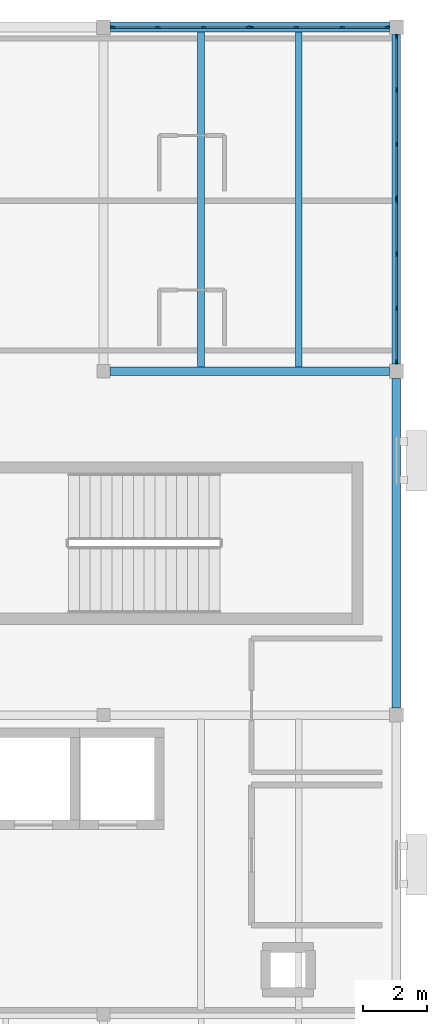
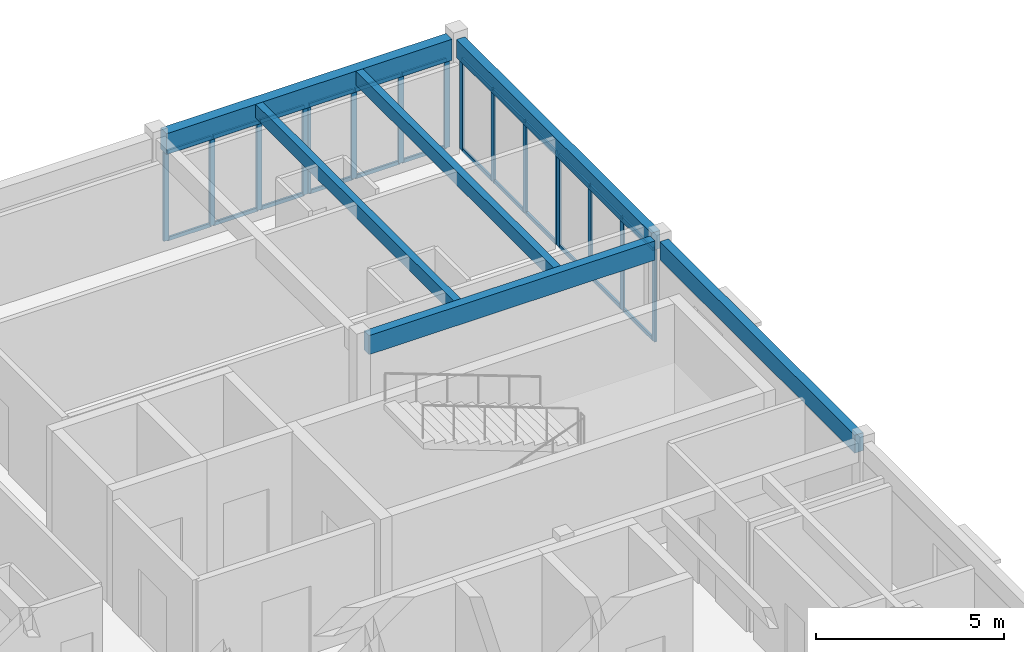
# One storey, part 3 of 15: 40 members, 6 beams, 4 elements without a shape of their own.
"""IFC4 building model written with IfcOpenShell, lengths in metres."""

from ifc_helpers import new_model, si_unit, direction, frame, origin, origin_2d, place, context, subcontext, project, spatial, rectangle, extrude, material, material_profile, profile_set, type_object, element, aggregate, save


model = new_model("IFC4")

# Units and contexts
model_context = context("Model", 3, precision=1e-05, world=origin(), true_north=direction((0.0, 1.0)))
body_context = subcontext(model_context, "Body", "Model", "MODEL_VIEW")
ifc_project = project(units=[si_unit("LENGTHUNIT", "METRE"), si_unit("AREAUNIT", "SQUARE_METRE"), si_unit("VOLUMEUNIT", "CUBIC_METRE"), si_unit("PLANEANGLEUNIT", "RADIAN"), si_unit("MASSUNIT", "GRAM", prefix="KILO")], contexts=[model_context])

# Site, building, storey
site_placement = place(None, origin())
site = spatial("IfcSite", under=ifc_project, at=site_placement, CompositionType="ELEMENT")
building_placement = place(site_placement, origin())
building = spatial("IfcBuilding", under=site, at=building_placement, Name="Veldera Park Congress Hotel", CompositionType="ELEMENT")
storey_placement = place(building_placement, frame((0.0, 0.0, 39.0)))
storey = spatial("IfcBuildingStorey", under=building, at=storey_placement, Name="L09", CompositionType="ELEMENT", Elevation=39.0)

# Beams
ifc_material_1 = material(Name="Glulam GL28h (NDS 24F-V4)", Category="wood")
ifc_material_profile_1 = material_profile(ifc_material_1, rectangle(XDim=0.264892578125, YDim=0.580078125, at=origin_2d()), Name="GL28h 265x580")
ifc_profile_set_1 = profile_set([ifc_material_profile_1], Name="Glulam GL28h (NDS 24F-V4)")
beam_type_1 = type_object("IfcBeamType", Name="BM-GL540E", PredefinedType="BEAM", material=ifc_profile_set_1)
beam_1_placement = place(storey_placement, frame((84.0, 36.625, 3.27490234375), z_axis=(0.0, 1.0, 0.0), x_axis=(-1.0, 0.0, 0.0)))
element("IfcBeam", 1, at=beam_1_placement, inside=storey, type_object=beam_type_1, Name="L09 Girder BM-GL540E 1883", PredefinedType="BEAM", context=body_context, shape_type="SweptSolid", body=[
    extrude(rectangle(XDim=0.264892578125, YDim=0.580078125, at=origin_2d()), origin(), (0.0, 0.0, 1.0), 10.35009765625),
])
beam_2_placement = place(storey_placement, frame((84.0, 47.425048828125, 3.27490234375), z_axis=(0.0, 1.0, 0.0), x_axis=(-1.0, 0.0, 0.0)))
element("IfcBeam", 2, at=beam_2_placement, inside=storey, type_object=beam_type_1, Name="L09 Girder BM-GL540E 1884", PredefinedType="BEAM", context=body_context, shape_type="SweptSolid", body=[
    extrude(rectangle(XDim=0.264892578125, YDim=0.580078125, at=origin_2d()), origin(), (0.0, 0.0, 1.0), 10.349853515625),
])
ifc_material_profile_2 = material_profile(ifc_material_1, rectangle(XDim=0.264892578125, YDim=0.6201171875, at=origin_2d()), Name="GL28h 265x620")
ifc_profile_set_2 = profile_set([ifc_material_profile_2], Name="Glulam GL28h (NDS 24F-V4)")
beam_type_2 = type_object("IfcBeamType", Name="BM-GL620", PredefinedType="BEAM", material=ifc_profile_set_2)
beam_3_placement = place(storey_placement, frame((75.010009765625, 47.199951171875, 3.2548828125), z_axis=(1.0, 0.0, 0.0), x_axis=(0.0, 1.0, 0.0)))
element("IfcBeam", 3, at=beam_3_placement, inside=storey, type_object=beam_type_2, Name="L09 Girder BM-GL620 1850", PredefinedType="BEAM", context=body_context, shape_type="SweptSolid", body=[
    extrude(rectangle(XDim=0.264892578125, YDim=0.6201171875, at=origin_2d()), origin(), (0.0, 0.0, 1.0), 8.764892578125),
])
ifc_material_profile_3 = material_profile(ifc_material_1, rectangle(XDim=0.31494140625, YDim=0.679931640625, at=origin_2d()), Name="GL28h 315x680")
ifc_profile_set_3 = profile_set([ifc_material_profile_3], Name="Glulam GL28h (NDS 24F-V4)")
beam_type_3 = type_object("IfcBeamType", Name="BM-GL640E", PredefinedType="BEAM", material=ifc_profile_set_3)
beam_4_placement = place(storey_placement, frame((75.02490234375, 58.0, 3.22509765625), z_axis=(1.0, 0.0, 0.0), x_axis=(0.0, 1.0, 0.0)))
element("IfcBeam", 4, at=beam_4_placement, inside=storey, type_object=beam_type_3, Name="L09 Girder BM-GL640E 1855", PredefinedType="BEAM", context=body_context, shape_type="SweptSolid", body=[
    extrude(rectangle(XDim=0.31494140625, YDim=0.679931640625, at=origin_2d()), origin(), (0.0, 0.0, 1.0), 8.75),
])

# Curtain wall, members
ifc_material_2 = material(Name="Low-E Triple Insulating Glass Unit (SHGC 0.22)", Category="glass")
curtain_wall_type = type_object("IfcCurtainWallType", Name="CW-HTL", PredefinedType="NOTDEFINED", material=ifc_material_2)
curtain_wall_1_placement = place(storey_placement, origin())
curtain_wall_1 = element("IfcCurtainWall", 5, at=curtain_wall_1_placement, inside=storey, type_object=curtain_wall_type, Name="L09 Curtain Wall CW3-HTLNE-L09-122", PredefinedType="NOTDEFINED")
ifc_material_3 = material(Name="Anodised Aluminium Alloy 6063-T6", Category="aluminium")
ifc_material_profile_4 = material_profile(ifc_material_3, rectangle(XDim=0.06005859375, YDim=0.159912109375, at=origin_2d()), Name="ALU 60x160")
ifc_profile_set_4 = profile_set([ifc_material_profile_4], Name="Anodised Aluminium Alloy 6063-T6")
member_type_1 = type_object("IfcMemberType", Name="CWM-160", PredefinedType="MULLION", material=ifc_profile_set_4)
member_1_placement = place(storey_placement, frame((84.0, 47.4951171875, 0.0), z_axis=(0.0, 0.0, 1.0), x_axis=(-1.0, 0.0, 0.0)))
member_1 = element("IfcMember", 6, at=member_1_placement, type_object=member_type_1, Name="CW-HTL mullion 1", PredefinedType="MULLION", context=body_context, shape_type="SweptSolid", body=[
    extrude(rectangle(XDim=0.06005859375, YDim=0.159912109375, at=origin_2d()), origin(), (0.0, 0.0, 1.0), 2.97998046875),
])
member_2_placement = place(storey_placement, frame((84.0, 49.171630859375, 0.0), z_axis=(0.0, 0.0, 1.0), x_axis=(-1.0, 0.0, 0.0)))
member_2 = element("IfcMember", 7, at=member_2_placement, type_object=member_type_1, Name="CW-HTL mullion 2", PredefinedType="MULLION", context=body_context, shape_type="SweptSolid", body=[
    extrude(rectangle(XDim=0.06005859375, YDim=0.159912109375, at=origin_2d()), origin(), (0.0, 0.0, 1.0), 2.97998046875),
])
member_3_placement = place(storey_placement, frame((84.0, 50.87841796875, 0.0), z_axis=(0.0, 0.0, 1.0), x_axis=(-1.0, 0.0, 0.0)))
member_3 = element("IfcMember", 8, at=member_3_placement, type_object=member_type_1, Name="CW-HTL mullion 3", PredefinedType="MULLION", context=body_context, shape_type="SweptSolid", body=[
    extrude(rectangle(XDim=0.06005859375, YDim=0.159912109375, at=origin_2d()), origin(), (0.0, 0.0, 1.0), 2.97998046875),
])
member_4_placement = place(storey_placement, frame((84.0, 52.554931640625, 0.0), z_axis=(0.0, 0.0, 1.0), x_axis=(-1.0, 0.0, 0.0)))
member_4 = element("IfcMember", 9, at=member_4_placement, type_object=member_type_1, Name="CW-HTL mullion 4", PredefinedType="MULLION", context=body_context, shape_type="SweptSolid", body=[
    extrude(rectangle(XDim=0.06005859375, YDim=0.159912109375, at=origin_2d()), origin(), (0.0, 0.0, 1.0), 2.97998046875),
])

curtain_wall_2_placement = place(storey_placement, origin())
curtain_wall_2 = element("IfcCurtainWall", 10, at=curtain_wall_2_placement, inside=storey, type_object=curtain_wall_type, Name="L09 Curtain Wall CW3-HTLNE-L09-123", PredefinedType="NOTDEFINED")
member_5_placement = place(storey_placement, frame((84.0, 52.64501953125, 0.0), z_axis=(0.0, 0.0, 1.0), x_axis=(-1.0, 0.0, 0.0)))
member_5 = element("IfcMember", 11, at=member_5_placement, type_object=member_type_1, Name="CW-HTL mullion 1", PredefinedType="MULLION", context=body_context, shape_type="SweptSolid", body=[
    extrude(rectangle(XDim=0.06005859375, YDim=0.159912109375, at=origin_2d()), origin(), (0.0, 0.0, 1.0), 2.97998046875),
])
member_6_placement = place(storey_placement, frame((84.0, 54.32177734375, 0.0), z_axis=(0.0, 0.0, 1.0), x_axis=(-1.0, 0.0, 0.0)))
member_6 = element("IfcMember", 12, at=member_6_placement, type_object=member_type_1, Name="CW-HTL mullion 2", PredefinedType="MULLION", context=body_context, shape_type="SweptSolid", body=[
    extrude(rectangle(XDim=0.06005859375, YDim=0.159912109375, at=origin_2d()), origin(), (0.0, 0.0, 1.0), 2.97998046875),
])
member_7_placement = place(storey_placement, frame((84.0, 56.0283203125, 0.0), z_axis=(0.0, 0.0, 1.0), x_axis=(-1.0, 0.0, 0.0)))
member_7 = element("IfcMember", 13, at=member_7_placement, type_object=member_type_1, Name="CW-HTL mullion 3", PredefinedType="MULLION", context=body_context, shape_type="SweptSolid", body=[
    extrude(rectangle(XDim=0.06005859375, YDim=0.159912109375, at=origin_2d()), origin(), (0.0, 0.0, 1.0), 2.97998046875),
])
member_8_placement = place(storey_placement, frame((84.0, 57.705078125, 0.0), z_axis=(0.0, 0.0, 1.0), x_axis=(-1.0, 0.0, 0.0)))
member_8 = element("IfcMember", 14, at=member_8_placement, type_object=member_type_1, Name="CW-HTL mullion 4", PredefinedType="MULLION", context=body_context, shape_type="SweptSolid", body=[
    extrude(rectangle(XDim=0.06005859375, YDim=0.159912109375, at=origin_2d()), origin(), (0.0, 0.0, 1.0), 2.97998046875),
])

curtain_wall_3_placement = place(storey_placement, origin())
curtain_wall_3 = element("IfcCurtainWall", 15, at=curtain_wall_3_placement, inside=storey, type_object=curtain_wall_type, Name="L09 Curtain Wall CW3-HTLNN-L09-124", PredefinedType="NOTDEFINED")
member_9_placement = place(storey_placement, frame((83.705078125, 58.0, 0.0), z_axis=(0.0, 0.0, 1.0), x_axis=(0.0, -1.0, 0.0)))
member_9 = element("IfcMember", 16, at=member_9_placement, type_object=member_type_1, Name="CW-HTL mullion 1", PredefinedType="MULLION", context=body_context, shape_type="SweptSolid", body=[
    extrude(rectangle(XDim=0.06005859375, YDim=0.159912109375, at=origin_2d()), origin(), (0.0, 0.0, 1.0), 2.8798828125),
])
member_10_placement = place(storey_placement, frame((82.294921875, 58.0, 0.0), z_axis=(0.0, 0.0, 1.0), x_axis=(0.0, -1.0, 0.0)))
member_10 = element("IfcMember", 17, at=member_10_placement, type_object=member_type_1, Name="CW-HTL mullion 2", PredefinedType="MULLION", context=body_context, shape_type="SweptSolid", body=[
    extrude(rectangle(XDim=0.06005859375, YDim=0.159912109375, at=origin_2d()), origin(), (0.0, 0.0, 1.0), 2.8798828125),
])
member_11_placement = place(storey_placement, frame((80.85498046875, 58.0, 0.0), z_axis=(0.0, 0.0, 1.0), x_axis=(0.0, -1.0, 0.0)))
member_11 = element("IfcMember", 18, at=member_11_placement, type_object=member_type_1, Name="CW-HTL mullion 3", PredefinedType="MULLION", context=body_context, shape_type="SweptSolid", body=[
    extrude(rectangle(XDim=0.06005859375, YDim=0.159912109375, at=origin_2d()), origin(), (0.0, 0.0, 1.0), 2.8798828125),
])
member_12_placement = place(storey_placement, frame((79.445068359375, 58.0, 0.0), z_axis=(0.0, 0.0, 1.0), x_axis=(0.0, -1.0, 0.0)))
member_12 = element("IfcMember", 19, at=member_12_placement, type_object=member_type_1, Name="CW-HTL mullion 4", PredefinedType="MULLION", context=body_context, shape_type="SweptSolid", body=[
    extrude(rectangle(XDim=0.06005859375, YDim=0.159912109375, at=origin_2d()), origin(), (0.0, 0.0, 1.0), 2.8798828125),
])

curtain_wall_4_placement = place(storey_placement, origin())
curtain_wall_4 = element("IfcCurtainWall", 20, at=curtain_wall_4_placement, inside=storey, type_object=curtain_wall_type, Name="L09 Curtain Wall CW3-HTLNN-L09-125", PredefinedType="NOTDEFINED")
member_13_placement = place(storey_placement, frame((79.35498046875, 58.0, 0.0), z_axis=(0.0, 0.0, 1.0), x_axis=(0.0, -1.0, 0.0)))
member_13 = element("IfcMember", 21, at=member_13_placement, type_object=member_type_1, Name="CW-HTL mullion 1", PredefinedType="MULLION", context=body_context, shape_type="SweptSolid", body=[
    extrude(rectangle(XDim=0.06005859375, YDim=0.159912109375, at=origin_2d()), origin(), (0.0, 0.0, 1.0), 2.8798828125),
])
member_14_placement = place(storey_placement, frame((77.945068359375, 58.0, 0.0), z_axis=(0.0, 0.0, 1.0), x_axis=(0.0, -1.0, 0.0)))
member_14 = element("IfcMember", 22, at=member_14_placement, type_object=member_type_1, Name="CW-HTL mullion 2", PredefinedType="MULLION", context=body_context, shape_type="SweptSolid", body=[
    extrude(rectangle(XDim=0.06005859375, YDim=0.159912109375, at=origin_2d()), origin(), (0.0, 0.0, 1.0), 2.8798828125),
])
member_15_placement = place(storey_placement, frame((76.5048828125, 58.0, 0.0), z_axis=(0.0, 0.0, 1.0), x_axis=(0.0, -1.0, 0.0)))
member_15 = element("IfcMember", 23, at=member_15_placement, type_object=member_type_1, Name="CW-HTL mullion 3", PredefinedType="MULLION", context=body_context, shape_type="SweptSolid", body=[
    extrude(rectangle(XDim=0.06005859375, YDim=0.159912109375, at=origin_2d()), origin(), (0.0, 0.0, 1.0), 2.8798828125),
])
member_16_placement = place(storey_placement, frame((75.094970703125, 58.0, 0.0), z_axis=(0.0, 0.0, 1.0), x_axis=(0.0, -1.0, 0.0)))
member_16 = element("IfcMember", 24, at=member_16_placement, type_object=member_type_1, Name="CW-HTL mullion 4", PredefinedType="MULLION", context=body_context, shape_type="SweptSolid", body=[
    extrude(rectangle(XDim=0.06005859375, YDim=0.159912109375, at=origin_2d()), origin(), (0.0, 0.0, 1.0), 2.8798828125),
])

# Member
ifc_material_profile_5 = material_profile(ifc_material_3, rectangle(XDim=0.06005859375, YDim=0.1201171875, at=origin_2d()), Name="ALU 60x120")
ifc_profile_set_5 = profile_set([ifc_material_profile_5], Name="Anodised Aluminium Alloy 6063-T6")
member_type_2 = type_object("IfcMemberType", Name="CWT-120", PredefinedType="USERDEFINED", material=ifc_profile_set_5)
member_17_placement = place(storey_placement, frame((84.0, 47.52490234375, 0.030029296875), z_axis=(0.0, 1.0, 0.0), x_axis=(-1.0, 0.0, 0.0)))
member_17 = element("IfcMember", 25, at=member_17_placement, type_object=member_type_2, Name="CW-HTL transom 1.1", ObjectType="TRANSOM", PredefinedType="USERDEFINED", context=body_context, shape_type="SweptSolid", body=[
    extrude(rectangle(XDim=0.06005859375, YDim=0.1201171875, at=origin_2d()), origin(), (0.0, 0.0, 1.0), 1.61669921875),
])

member_18_placement = place(storey_placement, frame((84.0, 47.52490234375, 2.949951171875), z_axis=(0.0, 1.0, 0.0), x_axis=(-1.0, 0.0, 0.0)))
member_18 = element("IfcMember", 26, at=member_18_placement, type_object=member_type_2, Name="CW-HTL transom 1.2", ObjectType="TRANSOM", PredefinedType="USERDEFINED", context=body_context, shape_type="SweptSolid", body=[
    extrude(rectangle(XDim=0.06005859375, YDim=0.1201171875, at=origin_2d()), origin(), (0.0, 0.0, 1.0), 1.61669921875),
])

member_19_placement = place(storey_placement, frame((84.0, 49.20166015625, 0.030029296875), z_axis=(0.0, 1.0, 0.0), x_axis=(-1.0, 0.0, 0.0)))
member_19 = element("IfcMember", 27, at=member_19_placement, type_object=member_type_2, Name="CW-HTL transom 2.1", ObjectType="TRANSOM", PredefinedType="USERDEFINED", context=body_context, shape_type="SweptSolid", body=[
    extrude(rectangle(XDim=0.06005859375, YDim=0.1201171875, at=origin_2d()), origin(), (0.0, 0.0, 1.0), 1.646728515625),
])

member_20_placement = place(storey_placement, frame((84.0, 49.20166015625, 2.949951171875), z_axis=(0.0, 1.0, 0.0), x_axis=(-1.0, 0.0, 0.0)))
member_20 = element("IfcMember", 28, at=member_20_placement, type_object=member_type_2, Name="CW-HTL transom 2.2", ObjectType="TRANSOM", PredefinedType="USERDEFINED", context=body_context, shape_type="SweptSolid", body=[
    extrude(rectangle(XDim=0.06005859375, YDim=0.1201171875, at=origin_2d()), origin(), (0.0, 0.0, 1.0), 1.646728515625),
])

member_21_placement = place(storey_placement, frame((84.0, 50.908447265625, 0.030029296875), z_axis=(0.0, 1.0, 0.0), x_axis=(-1.0, 0.0, 0.0)))
member_21 = element("IfcMember", 29, at=member_21_placement, type_object=member_type_2, Name="CW-HTL transom 3.1", ObjectType="TRANSOM", PredefinedType="USERDEFINED", context=body_context, shape_type="SweptSolid", body=[
    extrude(rectangle(XDim=0.06005859375, YDim=0.1201171875, at=origin_2d()), origin(), (0.0, 0.0, 1.0), 1.616455078125),
])

member_22_placement = place(storey_placement, frame((84.0, 50.908447265625, 2.949951171875), z_axis=(0.0, 1.0, 0.0), x_axis=(-1.0, 0.0, 0.0)))
member_22 = element("IfcMember", 30, at=member_22_placement, type_object=member_type_2, Name="CW-HTL transom 3.2", ObjectType="TRANSOM", PredefinedType="USERDEFINED", context=body_context, shape_type="SweptSolid", body=[
    extrude(rectangle(XDim=0.06005859375, YDim=0.1201171875, at=origin_2d()), origin(), (0.0, 0.0, 1.0), 1.616455078125),
])

aggregate(curtain_wall_1, [member_1, member_2, member_3, member_4, member_17, member_18, member_19, member_20, member_21, member_22])

member_23_placement = place(storey_placement, frame((84.0, 52.675048828125, 0.030029296875), z_axis=(0.0, 1.0, 0.0), x_axis=(-1.0, 0.0, 0.0)))
member_23 = element("IfcMember", 31, at=member_23_placement, type_object=member_type_2, Name="CW-HTL transom 1.1", ObjectType="TRANSOM", PredefinedType="USERDEFINED", context=body_context, shape_type="SweptSolid", body=[
    extrude(rectangle(XDim=0.06005859375, YDim=0.1201171875, at=origin_2d()), origin(), (0.0, 0.0, 1.0), 1.61669921875),
])

member_24_placement = place(storey_placement, frame((84.0, 52.675048828125, 2.949951171875), z_axis=(0.0, 1.0, 0.0), x_axis=(-1.0, 0.0, 0.0)))
member_24 = element("IfcMember", 32, at=member_24_placement, type_object=member_type_2, Name="CW-HTL transom 1.2", ObjectType="TRANSOM", PredefinedType="USERDEFINED", context=body_context, shape_type="SweptSolid", body=[
    extrude(rectangle(XDim=0.06005859375, YDim=0.1201171875, at=origin_2d()), origin(), (0.0, 0.0, 1.0), 1.61669921875),
])

member_25_placement = place(storey_placement, frame((84.0, 54.3515625, 0.030029296875), z_axis=(0.0, 1.0, 0.0), x_axis=(-1.0, 0.0, 0.0)))
member_25 = element("IfcMember", 33, at=member_25_placement, type_object=member_type_2, Name="CW-HTL transom 2.1", ObjectType="TRANSOM", PredefinedType="USERDEFINED", context=body_context, shape_type="SweptSolid", body=[
    extrude(rectangle(XDim=0.06005859375, YDim=0.1201171875, at=origin_2d()), origin(), (0.0, 0.0, 1.0), 1.646728515625),
])

member_26_placement = place(storey_placement, frame((84.0, 54.3515625, 2.949951171875), z_axis=(0.0, 1.0, 0.0), x_axis=(-1.0, 0.0, 0.0)))
member_26 = element("IfcMember", 34, at=member_26_placement, type_object=member_type_2, Name="CW-HTL transom 2.2", ObjectType="TRANSOM", PredefinedType="USERDEFINED", context=body_context, shape_type="SweptSolid", body=[
    extrude(rectangle(XDim=0.06005859375, YDim=0.1201171875, at=origin_2d()), origin(), (0.0, 0.0, 1.0), 1.646728515625),
])

member_27_placement = place(storey_placement, frame((84.0, 56.058349609375, 0.030029296875), z_axis=(0.0, 1.0, 0.0), x_axis=(-1.0, 0.0, 0.0)))
member_27 = element("IfcMember", 35, at=member_27_placement, type_object=member_type_2, Name="CW-HTL transom 3.1", ObjectType="TRANSOM", PredefinedType="USERDEFINED", context=body_context, shape_type="SweptSolid", body=[
    extrude(rectangle(XDim=0.06005859375, YDim=0.1201171875, at=origin_2d()), origin(), (0.0, 0.0, 1.0), 1.61669921875),
])

member_28_placement = place(storey_placement, frame((84.0, 56.058349609375, 2.949951171875), z_axis=(0.0, 1.0, 0.0), x_axis=(-1.0, 0.0, 0.0)))
member_28 = element("IfcMember", 36, at=member_28_placement, type_object=member_type_2, Name="CW-HTL transom 3.2", ObjectType="TRANSOM", PredefinedType="USERDEFINED", context=body_context, shape_type="SweptSolid", body=[
    extrude(rectangle(XDim=0.06005859375, YDim=0.1201171875, at=origin_2d()), origin(), (0.0, 0.0, 1.0), 1.61669921875),
])

aggregate(curtain_wall_2, [member_5, member_6, member_7, member_8, member_23, member_24, member_25, member_26, member_27, member_28])

member_29_placement = place(storey_placement, frame((83.675048828125, 58.0, 0.030029296875), z_axis=(-1.0, 0.0, 0.0), x_axis=(0.0, -1.0, 0.0)))
member_29 = element("IfcMember", 37, at=member_29_placement, type_object=member_type_2, Name="CW-HTL transom 1.1", ObjectType="TRANSOM", PredefinedType="USERDEFINED", context=body_context, shape_type="SweptSolid", body=[
    extrude(rectangle(XDim=0.06005859375, YDim=0.1201171875, at=origin_2d()), origin(), (0.0, 0.0, 1.0), 1.35009765625),
])

member_30_placement = place(storey_placement, frame((83.675048828125, 58.0, 2.85009765625), z_axis=(-1.0, 0.0, 0.0), x_axis=(0.0, -1.0, 0.0)))
member_30 = element("IfcMember", 38, at=member_30_placement, type_object=member_type_2, Name="CW-HTL transom 1.2", ObjectType="TRANSOM", PredefinedType="USERDEFINED", context=body_context, shape_type="SweptSolid", body=[
    extrude(rectangle(XDim=0.06005859375, YDim=0.1201171875, at=origin_2d()), origin(), (0.0, 0.0, 1.0), 1.35009765625),
])

member_31_placement = place(storey_placement, frame((82.264892578125, 58.0, 0.030029296875), z_axis=(-1.0, 0.0, 0.0), x_axis=(0.0, -1.0, 0.0)))
member_31 = element("IfcMember", 39, at=member_31_placement, type_object=member_type_2, Name="CW-HTL transom 2.1", ObjectType="TRANSOM", PredefinedType="USERDEFINED", context=body_context, shape_type="SweptSolid", body=[
    extrude(rectangle(XDim=0.06005859375, YDim=0.1201171875, at=origin_2d()), origin(), (0.0, 0.0, 1.0), 1.3798828125),
])

member_32_placement = place(storey_placement, frame((82.264892578125, 58.0, 2.85009765625), z_axis=(-1.0, 0.0, 0.0), x_axis=(0.0, -1.0, 0.0)))
member_32 = element("IfcMember", 40, at=member_32_placement, type_object=member_type_2, Name="CW-HTL transom 2.2", ObjectType="TRANSOM", PredefinedType="USERDEFINED", context=body_context, shape_type="SweptSolid", body=[
    extrude(rectangle(XDim=0.06005859375, YDim=0.1201171875, at=origin_2d()), origin(), (0.0, 0.0, 1.0), 1.3798828125),
])

member_33_placement = place(storey_placement, frame((80.824951171875, 58.0, 0.030029296875), z_axis=(-1.0, 0.0, 0.0), x_axis=(0.0, -1.0, 0.0)))
member_33 = element("IfcMember", 41, at=member_33_placement, type_object=member_type_2, Name="CW-HTL transom 3.1", ObjectType="TRANSOM", PredefinedType="USERDEFINED", context=body_context, shape_type="SweptSolid", body=[
    extrude(rectangle(XDim=0.06005859375, YDim=0.1201171875, at=origin_2d()), origin(), (0.0, 0.0, 1.0), 1.349853515625),
])

member_34_placement = place(storey_placement, frame((80.824951171875, 58.0, 2.85009765625), z_axis=(-1.0, 0.0, 0.0), x_axis=(0.0, -1.0, 0.0)))
member_34 = element("IfcMember", 42, at=member_34_placement, type_object=member_type_2, Name="CW-HTL transom 3.2", ObjectType="TRANSOM", PredefinedType="USERDEFINED", context=body_context, shape_type="SweptSolid", body=[
    extrude(rectangle(XDim=0.06005859375, YDim=0.1201171875, at=origin_2d()), origin(), (0.0, 0.0, 1.0), 1.349853515625),
])

aggregate(curtain_wall_3, [member_9, member_10, member_11, member_12, member_29, member_30, member_31, member_32, member_33, member_34])

member_35_placement = place(storey_placement, frame((79.324951171875, 58.0, 0.030029296875), z_axis=(-1.0, 0.0, 0.0), x_axis=(0.0, -1.0, 0.0)))
member_35 = element("IfcMember", 43, at=member_35_placement, type_object=member_type_2, Name="CW-HTL transom 1.1", ObjectType="TRANSOM", PredefinedType="USERDEFINED", context=body_context, shape_type="SweptSolid", body=[
    extrude(rectangle(XDim=0.06005859375, YDim=0.1201171875, at=origin_2d()), origin(), (0.0, 0.0, 1.0), 1.349853515625),
])

member_36_placement = place(storey_placement, frame((79.324951171875, 58.0, 2.85009765625), z_axis=(-1.0, 0.0, 0.0), x_axis=(0.0, -1.0, 0.0)))
member_36 = element("IfcMember", 44, at=member_36_placement, type_object=member_type_2, Name="CW-HTL transom 1.2", ObjectType="TRANSOM", PredefinedType="USERDEFINED", context=body_context, shape_type="SweptSolid", body=[
    extrude(rectangle(XDim=0.06005859375, YDim=0.1201171875, at=origin_2d()), origin(), (0.0, 0.0, 1.0), 1.349853515625),
])

member_37_placement = place(storey_placement, frame((77.9150390625, 58.0, 0.030029296875), z_axis=(-1.0, 0.0, 0.0), x_axis=(0.0, -1.0, 0.0)))
member_37 = element("IfcMember", 45, at=member_37_placement, type_object=member_type_2, Name="CW-HTL transom 2.1", ObjectType="TRANSOM", PredefinedType="USERDEFINED", context=body_context, shape_type="SweptSolid", body=[
    extrude(rectangle(XDim=0.06005859375, YDim=0.1201171875, at=origin_2d()), origin(), (0.0, 0.0, 1.0), 1.380126953125),
])

member_38_placement = place(storey_placement, frame((77.9150390625, 58.0, 2.85009765625), z_axis=(-1.0, 0.0, 0.0), x_axis=(0.0, -1.0, 0.0)))
member_38 = element("IfcMember", 46, at=member_38_placement, type_object=member_type_2, Name="CW-HTL transom 2.2", ObjectType="TRANSOM", PredefinedType="USERDEFINED", context=body_context, shape_type="SweptSolid", body=[
    extrude(rectangle(XDim=0.06005859375, YDim=0.1201171875, at=origin_2d()), origin(), (0.0, 0.0, 1.0), 1.380126953125),
])

member_39_placement = place(storey_placement, frame((76.47509765625, 58.0, 0.030029296875), z_axis=(-1.0, 0.0, 0.0), x_axis=(0.0, -1.0, 0.0)))
member_39 = element("IfcMember", 47, at=member_39_placement, type_object=member_type_2, Name="CW-HTL transom 3.1", ObjectType="TRANSOM", PredefinedType="USERDEFINED", context=body_context, shape_type="SweptSolid", body=[
    extrude(rectangle(XDim=0.06005859375, YDim=0.1201171875, at=origin_2d()), origin(), (0.0, 0.0, 1.0), 1.35009765625),
])

member_40_placement = place(storey_placement, frame((76.47509765625, 58.0, 2.85009765625), z_axis=(-1.0, 0.0, 0.0), x_axis=(0.0, -1.0, 0.0)))
member_40 = element("IfcMember", 48, at=member_40_placement, type_object=member_type_2, Name="CW-HTL transom 3.2", ObjectType="TRANSOM", PredefinedType="USERDEFINED", context=body_context, shape_type="SweptSolid", body=[
    extrude(rectangle(XDim=0.06005859375, YDim=0.1201171875, at=origin_2d()), origin(), (0.0, 0.0, 1.0), 1.35009765625),
])

aggregate(curtain_wall_4, [member_13, member_14, member_15, member_16, member_35, member_36, member_37, member_38, member_39, member_40])

# Beams
ifc_material_profile_6 = material_profile(ifc_material_1, rectangle(XDim=0.215087890625, YDim=0.449951171875, at=origin_2d()), Name="GL28h 215x450")
ifc_profile_set_6 = profile_set([ifc_material_profile_6], Name="Glulam GL28h (NDS 24F-V4)")
beam_type_4 = type_object("IfcBeamType", Name="JST-GL450", PredefinedType="JOIST", material=ifc_profile_set_6)
for number, where, z_axis, x_axis, name in (
    (49, (77.86669921875, 47.33251953125, 3.340087890625), (0.0, 1.0, 0.0), (-1.0, 0.0, 0.0), "L09 Floor Joist JST-GL450 1911"),
    (50, (80.933349609375, 47.33251953125, 3.340087890625), (0.0, 1.0, 0.0), (-1.0, 0.0, 0.0), "L09 Floor Joist JST-GL450 1912"),
):
    element("IfcBeam", number, at=place(storey_placement, frame(where, z_axis=z_axis, x_axis=x_axis)), inside=storey, type_object=beam_type_4, Name=name, PredefinedType="JOIST", context=body_context, shape_type="SweptSolid", body=[
        extrude(rectangle(XDim=0.215087890625, YDim=0.449951171875, at=origin_2d()), origin(), (0.0, 0.0, 1.0), 10.510009765625),
    ])

save(model, "model.ifc")
